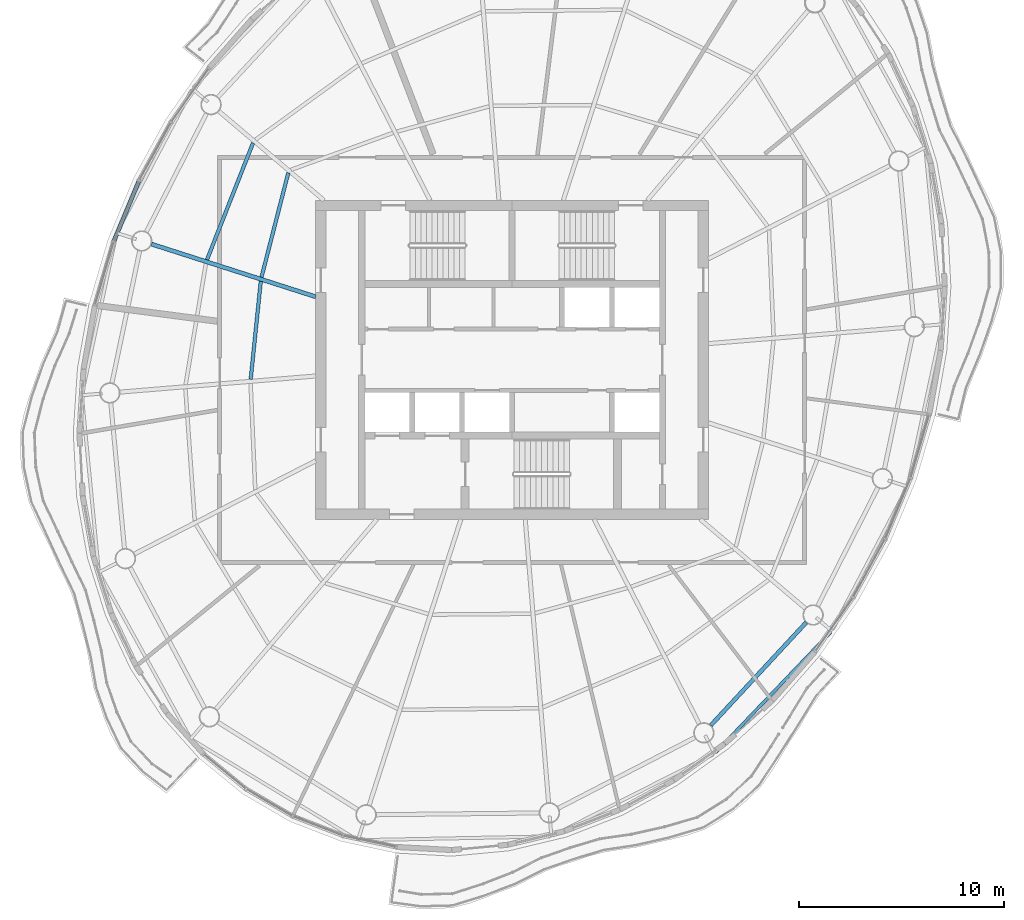
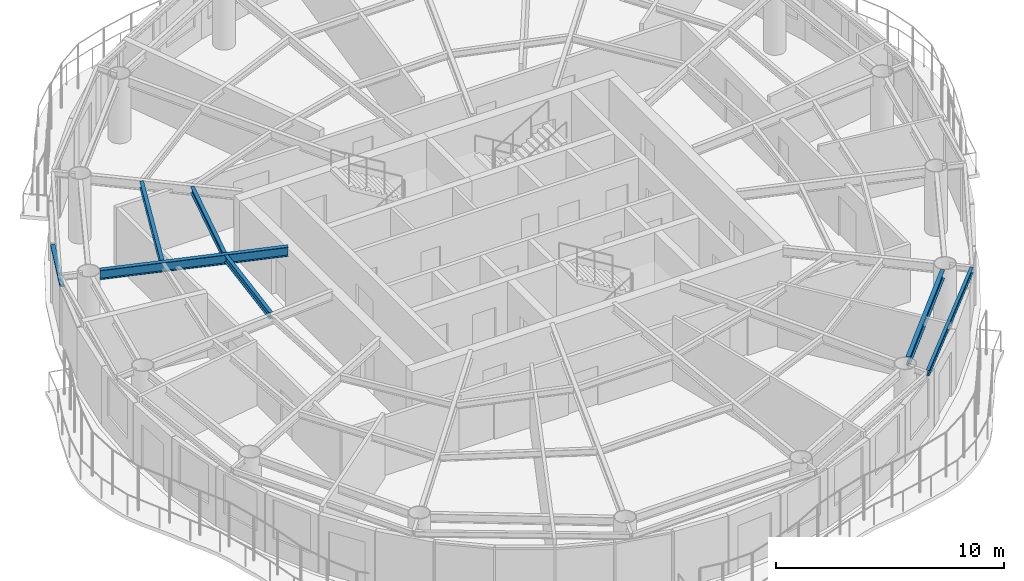
# One storey, part 3 of 13: 6 beams, 1 member, 1 element without a shape of its own.
"""IFC4 building model written with IfcOpenShell, lengths in metres."""

from ifc_helpers import new_model, si_unit, direction, frame, origin, origin_2d, place, context, subcontext, project, spatial, rectangle, i_section, extrude, material, material_profile, profile_set, type_object, element, aggregate, save


model = new_model("IFC4")

# Units and contexts
model_context = context("Model", 3, precision=1e-05, world=origin(), true_north=direction((0.0, 1.0)))
body_context = subcontext(model_context, "Body", "Model", "MODEL_VIEW")
ifc_project = project(units=[si_unit("LENGTHUNIT", "METRE"), si_unit("AREAUNIT", "SQUARE_METRE"), si_unit("VOLUMEUNIT", "CUBIC_METRE"), si_unit("PLANEANGLEUNIT", "RADIAN"), si_unit("MASSUNIT", "GRAM", prefix="KILO")], contexts=[model_context])

# Site, building, storey
site_placement = place(None, origin())
site = spatial("IfcSite", under=ifc_project, at=site_placement, CompositionType="ELEMENT")
building_placement = place(site_placement, origin())
building = spatial("IfcBuilding", under=site, at=building_placement, Name="Vermilion Reach Broadcast Tower", CompositionType="ELEMENT")
storey_placement = place(building_placement, frame((0.0, 0.0, 290.10009765625)))
storey = spatial("IfcBuildingStorey", under=building, at=storey_placement, Name="L72", CompositionType="ELEMENT", Elevation=290.10009765625)

# Beams
ifc_material_1 = material(Name="Steel S355J2", Category="steel")
ifc_material_profile_1 = material_profile(ifc_material_1, i_section(OverallWidth=0.14990234375, OverallDepth=0.300048828125, WebThickness=0.006591796875, FlangeThickness=0.009033203125, at=origin_2d()), Name="S355J2 HN 300x150x6.5x9")
ifc_profile_set_1 = profile_set([ifc_material_profile_1], Name="Steel S355J2")
beam_type_1 = type_object("IfcBeamType", Name="EB5 HN 300x150x6.5x9", PredefinedType="BEAM", material=ifc_profile_set_1)
beam_1_placement = place(storey_placement, frame((3.9541015625, -19.1962890625, 3.2998046875), z_axis=(0.690981013748, 0.722872906284, 0.0), x_axis=(-0.722872906284, 0.690981013748, 0.0)))
element("IfcBeam", 1, at=beam_1_placement, inside=storey, type_object=beam_type_1, Name="Edge beam EB5-11", PredefinedType="BEAM", context=body_context, shape_type="SweptSolid", body=[
    extrude(i_section(OverallWidth=0.14990234375, OverallDepth=0.300048828125, WebThickness=0.006591796875, FlangeThickness=0.009033203125, at=origin_2d()), origin(), (0.0, 0.0, 1.0), 8.145263671875),
])
ifc_material_2 = material(Name="Steel S355J2", Category="steel")
ifc_material_profile_2 = material_profile(ifc_material_2, i_section(OverallWidth=0.199951171875, OverallDepth=0.5, WebThickness=0.010009765625, FlangeThickness=0.01611328125, at=origin_2d()), Name="S355J2 HN 500x200x10x16")
ifc_profile_set_2 = profile_set([ifc_material_profile_2], Name="Steel S355J2")
beam_type_2 = type_object("IfcBeamType", Name="G5 HN 500x200x10x16", PredefinedType="BEAM", material=ifc_profile_set_2)
beam_2_placement = place(storey_placement, frame((-15.60009765625, 3.080322265625, 3.199951171875), z_axis=(-0.952178453449, 0.305542456604, 0.0), x_axis=(-0.305542456604, -0.952178453449, 0.0)))
element("IfcBeam", 2, at=beam_2_placement, inside=storey, type_object=beam_type_2, Name="Girder G5-05", PredefinedType="BEAM", context=body_context, shape_type="SweptSolid", body=[
    extrude(i_section(OverallWidth=0.199951171875, OverallDepth=0.5, WebThickness=0.010009765625, FlangeThickness=0.01611328125, at=origin_2d()), origin(), (0.0, 0.0, 1.0), 8.43310546875),
])
ifc_material_3 = material(Name="Steel S355J2", Category="steel")
ifc_material_profile_3 = material_profile(ifc_material_3, i_section(OverallWidth=0.199951171875, OverallDepth=0.449951171875, WebThickness=0.009033203125, FlangeThickness=0.013916015625, at=origin_2d()), Name="S355J2 HN 450x200x9x14")
ifc_profile_set_3 = profile_set([ifc_material_profile_3], Name="Steel S355J2")
beam_type_3 = type_object("IfcBeamType", Name="RB5 HN 450x200x9x14", PredefinedType="BEAM", material=ifc_profile_set_3)
beam_3_placement = place(storey_placement, frame((3.716796875, -17.87109375, 3.224853515625), z_axis=(0.679837550075, 0.733362738014, 0.0), x_axis=(-0.733362738014, 0.679837550075, 0.0)))
element("IfcBeam", 3, at=beam_3_placement, inside=storey, type_object=beam_type_3, Name="Ring beam RB5-11", PredefinedType="BEAM", context=body_context, shape_type="SweptSolid", body=[
    extrude(i_section(OverallWidth=0.199951171875, OverallDepth=0.449951171875, WebThickness=0.009033203125, FlangeThickness=0.013916015625, at=origin_2d()), origin(), (0.0, 0.0, 1.0), 6.85546875),
])
ifc_material_4 = material(Name="Steel S355J2", Category="steel")
ifc_material_profile_4 = material_profile(ifc_material_4, i_section(OverallWidth=0.175048828125, OverallDepth=0.35009765625, WebThickness=0.007080078125, FlangeThickness=0.010986328125, at=origin_2d()), Name="S355J2 HN 350x175x7x11")
ifc_profile_set_4 = profile_set([ifc_material_profile_4], Name="Steel S355J2")
beam_type_4 = type_object("IfcBeamType", Name="SB5 HN 350x175x7x11", PredefinedType="BEAM", material=ifc_profile_set_4)
beam_4_placement = place(storey_placement, frame((-16.940185546875, 9.1435546875, 3.27490234375), z_axis=(-0.248729575729, -0.968572969971, 0.0), x_axis=(0.968572969971, -0.248729575729, 0.0)))
element("IfcBeam", 4, at=beam_4_placement, inside=storey, type_object=beam_type_4, Name="Secondary beam SB5-04-1", PredefinedType="BEAM", context=body_context, shape_type="SweptSolid", body=[
    extrude(i_section(OverallWidth=0.175048828125, OverallDepth=0.35009765625, WebThickness=0.007080078125, FlangeThickness=0.010986328125, at=origin_2d()), origin(), (0.0, 0.0, 1.0), 5.27294921875),
])
beam_5_placement = place(storey_placement, frame((-18.6630859375, 10.604248046875, 3.27490234375), z_axis=(-0.366931189603, -0.930248086317, 0.0), x_axis=(0.930248086317, -0.366931189603, 0.0)))
element("IfcBeam", 5, at=beam_5_placement, inside=storey, type_object=beam_type_4, Name="Secondary beam SB5-04-2", PredefinedType="BEAM", context=body_context, shape_type="SweptSolid", body=[
    extrude(i_section(OverallWidth=0.175048828125, OverallDepth=0.35009765625, WebThickness=0.007080078125, FlangeThickness=0.010986328125, at=origin_2d()), origin(), (0.0, 0.0, 1.0), 6.141357421875),
])
beam_6_placement = place(storey_placement, frame((-18.287109375, 3.837646484375, 3.27490234375), z_axis=(-0.102113775264, -0.994772726255, 0.0), x_axis=(0.994772726255, -0.102113775264, 0.0)))
element("IfcBeam", 6, at=beam_6_placement, inside=storey, type_object=beam_type_4, Name="Secondary beam SB5-05-1", PredefinedType="BEAM", context=body_context, shape_type="SweptSolid", body=[
    extrude(i_section(OverallWidth=0.175048828125, OverallDepth=0.35009765625, WebThickness=0.007080078125, FlangeThickness=0.010986328125, at=origin_2d()), origin(), (0.0, 0.0, 1.0), 4.815185546875),
])

# Curtain wall, member
ifc_material_5 = material(Name="Low-e laminated clear glass in aluminium frame", Category="aluminium")
curtain_wall_type = type_object("IfcCurtainWallType", Name="Slot curtain wall", PredefinedType="NOTDEFINED", material=ifc_material_5)
curtain_wall_placement = place(storey_placement, origin())
curtain_wall = element("IfcCurtainWall", 7, at=curtain_wall_placement, inside=storey, type_object=curtain_wall_type, Name="Slot curtain wall L72 12", PredefinedType="NOTDEFINED")
ifc_material_6 = material(Name="Anodised aluminium", Category="aluminium")
ifc_material_profile_5 = material_profile(ifc_material_6, rectangle(XDim=0.199951171875, YDim=0.10009765625, at=origin_2d()), Name="Slot transom 200 x 100")
ifc_profile_set_5 = profile_set([ifc_material_profile_5], Name="Anodised aluminium")
member_type = type_object("IfcMemberType", Name="Slot transom 200 x 100", PredefinedType="USERDEFINED", material=ifc_profile_set_5)
member_placement = place(storey_placement, frame((-24.2490234375, 8.73046875, 3.099853515625), z_axis=(-0.384396141635, -0.923168243765, 0.0), x_axis=(0.923168243765, -0.384396141635, 0.0)))
member = element("IfcMember", 8, at=member_placement, type_object=member_type, Name="Slot transom L72 12.1", ObjectType="TRANSOM", PredefinedType="USERDEFINED", context=body_context, shape_type="SweptSolid", body=[
    extrude(rectangle(XDim=0.199951171875, YDim=0.10009765625, at=origin_2d()), origin(), (0.0, 0.0, 1.0), 3.162841796875),
])
aggregate(curtain_wall, [member])

save(model, "model.ifc")
